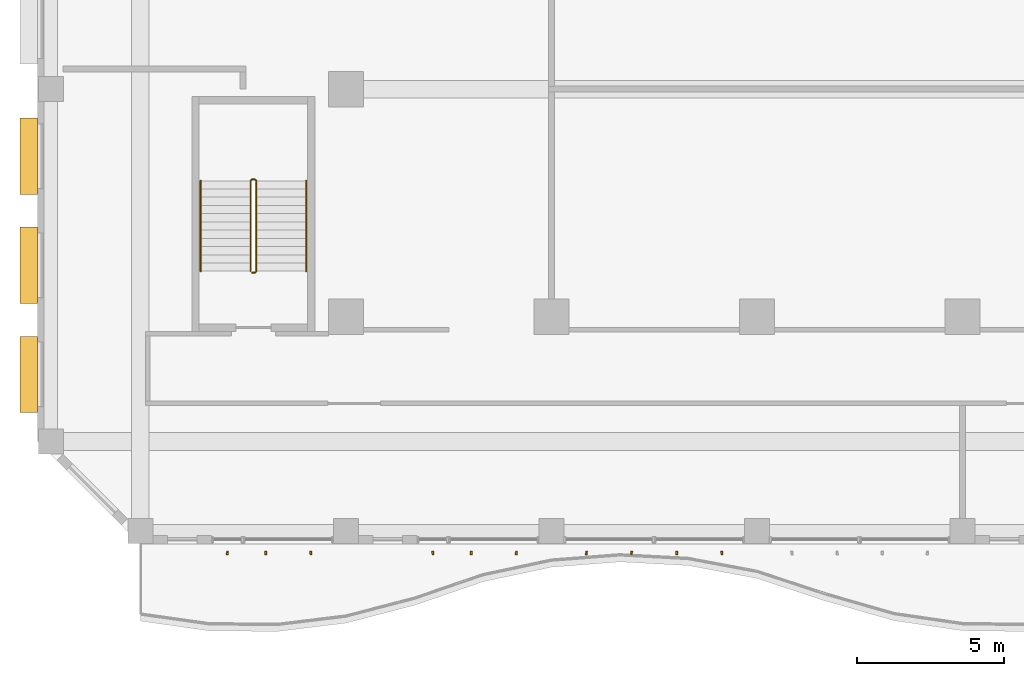
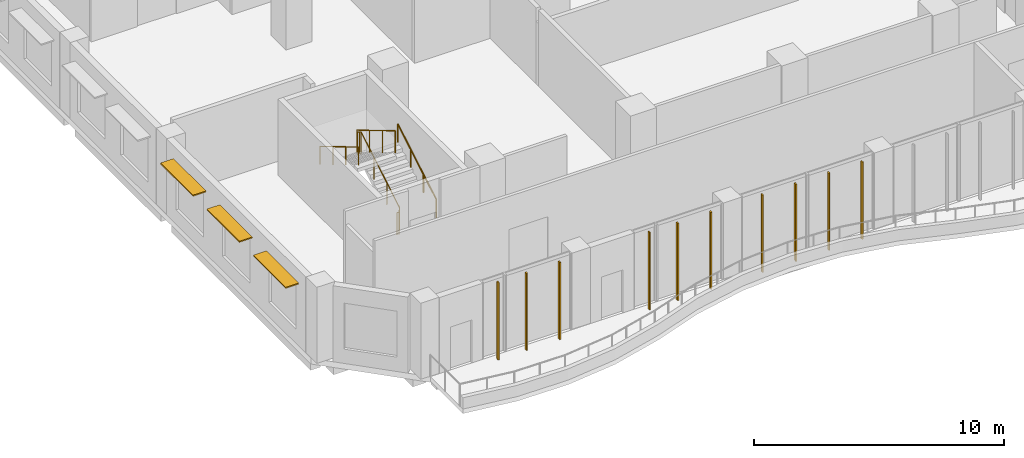
# One storey, part 17 of 26: 13 shading devices, 3 railings.
"""IFC4 building model written with IfcOpenShell, lengths in metres."""

from ifc_helpers import new_model, si_unit, direction, frame, origin, origin_2d, place, context, subcontext, project, spatial, rectangle, circle, extrude, source, transform, mapped, material, layer, layer_set, material_profile, profile_set, type_object, element, save


model = new_model("IFC4")

# Units and contexts
model_context = context("Model", 3, precision=1e-05, world=origin(), true_north=direction((0.0, 1.0)))
body_context = subcontext(model_context, "Body", "Model", "MODEL_VIEW")
ifc_project = project(units=[si_unit("LENGTHUNIT", "METRE"), si_unit("AREAUNIT", "SQUARE_METRE"), si_unit("VOLUMEUNIT", "CUBIC_METRE"), si_unit("PLANEANGLEUNIT", "RADIAN"), si_unit("MASSUNIT", "GRAM", prefix="KILO")], contexts=[model_context])

# Site, building, storey
site_placement = place(None, origin())
site = spatial("IfcSite", under=ifc_project, at=site_placement, CompositionType="ELEMENT")
building_placement = place(site_placement, origin())
building = spatial("IfcBuilding", under=site, at=building_placement, Name="Kilnfold Tower and Market Hall", CompositionType="ELEMENT")
storey_placement = place(building_placement, frame((0.0, 0.0, 108.60009765625)))
storey = spatial("IfcBuildingStorey", under=building, at=storey_placement, Name="L25", CompositionType="ELEMENT", Elevation=108.60009765625)

# Railings
ifc_material_1 = material(Name="Stainless steel 316", Category="steel")
railing_type_1 = type_object("IfcRailingType", Name="CORE STAIR GUARD 1100", PredefinedType="GUARDRAIL", material=ifc_material_1)
railing_1_placement = place(storey_placement, frame((-15.699951171875, -13.75, 0.0)))
element("IfcRailing", 1, at=railing_1_placement, inside=storey, type_object=railing_type_1, Name="L25 ST3 stair guard 1", PredefinedType="GUARDRAIL", context=body_context, shape_type="SweptSolid", body=[
    extrude(circle(Radius=0.02392578125, at=origin_2d()), frame((0.0, 0.0, 1.076171875), z_axis=(1.0, 0.0, 0.0), x_axis=(0.0, 1.0, 0.0)), (0.0, 0.0, 1.0), 0.099853515625),
    extrude(circle(Radius=0.02392578125, at=origin_2d()), frame((0.099853515625, 0.0, 1.076171875), z_axis=(0.27662974545, 0.27662974545, 0.920299933644), x_axis=(-0.707106781187, 0.707106781187, 0.0)), (0.0, 0.0, 1.0), 0.180908203125),
    extrude(circle(Radius=0.02392578125, at=origin_2d()), frame((0.14990234375, 0.050048828125, 1.24267578125), z_axis=(0.0, 0.859260807169, 0.511537745687), x_axis=(-1.0, 0.0, 0.0)), (0.0, 0.0, 1.0), 3.584228515625),
    extrude(circle(Radius=0.02392578125, at=origin_2d()), frame((0.14990234375, 3.1298828125, 3.076171875), z_axis=(-0.707106781187, 0.707106781187, 0.0), x_axis=(-0.707106781187, -0.707106781187, 0.0)), (0.0, 0.0, 1.0), 0.07080078125),
    extrude(circle(Radius=0.02392578125, at=origin_2d()), frame((0.099853515625, 3.179931640625, 3.076171875), z_axis=(-1.0, 0.0, 0.0), x_axis=(0.0, -1.0, 0.0)), (0.0, 0.0, 1.0), 0.099853515625),
    extrude(circle(Radius=0.02392578125, at=origin_2d()), frame((0.0, 3.179931640625, 3.076171875), z_axis=(-0.27662974545, -0.27662974545, 0.920299933644), x_axis=(0.707106781187, -0.707106781187, 0.0)), (0.0, 0.0, 1.0), 0.180908203125),
    extrude(circle(Radius=0.02392578125, at=origin_2d()), frame((-0.050048828125, 3.1298828125, 3.24267578125), z_axis=(0.0, -0.859260807169, 0.511537745687), x_axis=(1.0, 0.0, 0.0)), (0.0, 0.0, 1.0), 3.584228515625),
    extrude(circle(Radius=0.02099609375, at=origin_2d()), origin(), (0.0, 0.0, 1.0), 1.052001953125),
    extrude(circle(Radius=0.02099609375, at=origin_2d()), frame((0.099853515625, 0.0, 0.0)), (0.0, 0.0, 1.0), 1.052001953125),
    extrude(circle(Radius=0.02099609375, at=origin_2d()), frame((0.14990234375, 0.050048828125, 0.16650390625)), (0.0, 0.0, 1.0), 1.052001953125),
    extrude(circle(Radius=0.02099609375, at=origin_2d()), frame((0.14990234375, 1.07666015625, 0.777587890625)), (0.0, 0.0, 1.0), 1.052001953125),
    extrude(circle(Radius=0.02099609375, at=origin_2d()), frame((0.14990234375, 2.103271484375, 1.388916015625)), (0.0, 0.0, 1.0), 1.052001953125),
    extrude(circle(Radius=0.02099609375, at=origin_2d()), frame((0.14990234375, 3.1298828125, 2.0)), (0.0, 0.0, 1.0), 1.052001953125),
    extrude(circle(Radius=0.02099609375, at=origin_2d()), frame((0.099853515625, 3.179931640625, 2.0)), (0.0, 0.0, 1.0), 1.052001953125),
    extrude(circle(Radius=0.02099609375, at=origin_2d()), frame((0.0, 3.179931640625, 2.0)), (0.0, 0.0, 1.0), 1.052001953125),
    extrude(circle(Radius=0.02099609375, at=origin_2d()), frame((-0.050048828125, 3.1298828125, 2.16650390625)), (0.0, 0.0, 1.0), 1.052001953125),
    extrude(circle(Radius=0.02099609375, at=origin_2d()), frame((-0.050048828125, 2.103271484375, 2.777587890625)), (0.0, 0.0, 1.0), 1.052001953125),
    extrude(circle(Radius=0.02099609375, at=origin_2d()), frame((-0.050048828125, 1.07666015625, 3.388916015625)), (0.0, 0.0, 1.0), 1.052001953125),
    extrude(circle(Radius=0.02099609375, at=origin_2d()), frame((-0.050048828125, 0.050048828125, 4.0)), (0.0, 0.0, 1.0), 1.052001953125),
])
ifc_material_2 = material(Name="Stainless steel 316", Category="steel")
railing_type_2 = type_object("IfcRailingType", Name="CORE STAIR HANDRAIL 900", PredefinedType="HANDRAIL", material=ifc_material_2)
railing_2_placement = place(storey_placement, frame((-13.85009765625, -13.699951171875, 0.16650390625)))
element("IfcRailing", 2, at=railing_2_placement, inside=storey, type_object=railing_type_2, Name="L25 ST3 stair handrail 1", PredefinedType="HANDRAIL", context=body_context, shape_type="SweptSolid", body=[
    extrude(circle(Radius=0.02392578125, at=origin_2d()), frame((0.0, 0.0, 0.8759765625), z_axis=(0.0, 0.859260807169, 0.511537745687), x_axis=(-1.0, 0.0, 0.0)), (0.0, 0.0, 1.0), 3.584228515625),
    extrude(circle(Radius=0.02099609375, at=origin_2d()), origin(), (0.0, 0.0, 1.0), 0.851806640625),
    extrude(circle(Radius=0.02099609375, at=origin_2d()), frame((0.0, 1.026611328125, 0.611083984375)), (0.0, 0.0, 1.0), 0.851806640625),
    extrude(circle(Radius=0.02099609375, at=origin_2d()), frame((0.0, 2.05322265625, 1.222412109375)), (0.0, 0.0, 1.0), 0.851806640625),
    extrude(circle(Radius=0.02099609375, at=origin_2d()), frame((0.0, 3.079833984375, 1.83349609375)), (0.0, 0.0, 1.0), 0.851806640625),
])
railing_3_placement = place(storey_placement, frame((-17.449951171875, -10.6201171875, 2.16650390625)))
element("IfcRailing", 3, at=railing_3_placement, inside=storey, type_object=railing_type_2, Name="L25 ST3 stair handrail 2", PredefinedType="HANDRAIL", context=body_context, shape_type="SweptSolid", body=[
    extrude(circle(Radius=0.02392578125, at=origin_2d()), frame((0.0, 0.0, 0.8759765625), z_axis=(0.0, -0.859260807169, 0.511537745687), x_axis=(1.0, 0.0, 0.0)), (0.0, 0.0, 1.0), 3.584228515625),
    extrude(circle(Radius=0.02099609375, at=origin_2d()), origin(), (0.0, 0.0, 1.0), 0.851806640625),
    extrude(circle(Radius=0.02099609375, at=origin_2d()), frame((0.0, -1.026611328125, 0.611083984375)), (0.0, 0.0, 1.0), 0.851806640625),
    extrude(circle(Radius=0.02099609375, at=origin_2d()), frame((0.0, -2.05322265625, 1.222412109375)), (0.0, 0.0, 1.0), 0.851806640625),
    extrude(circle(Radius=0.02099609375, at=origin_2d()), frame((0.0, -3.079833984375, 1.83349609375)), (0.0, 0.0, 1.0), 0.851806640625),
])

# Shading devices
ifc_material_3 = material(Name="Terracotta", Category="masonry")
ifc_layer = layer(ifc_material_3, 0.06005859375)
ifc_layer_set = layer_set([ifc_layer], Name="Terracotta")
shading_device_type_1 = type_object("IfcShadingDeviceType", Name="SUNSHADE BLADE 600", PredefinedType="USERDEFINED", material=ifc_layer_set)
shared_shape_1 = source(origin(), body_context, "Body", "SweptSolid", [
    extrude(rectangle(XDim=2.60009765625, YDim=0.60009765625, at=origin_2d()), origin(), (0.0, 0.0, 1.0), 0.06005859375),
])
for number, where, z_axis, x_axis, name in (
    (4, (-23.300048828125, -9.783203125, 3.02978515625), (0.0, 0.0, 1.0), (0.0, -1.0, 0.0), "Sunshade L25 W"),
    (5, (-23.300048828125, -13.5, 3.02978515625), (0.0, 0.0, 1.0), (0.0, -1.0, 0.0), "Sunshade L25 W"),
    (6, (-23.300048828125, -17.216796875, 3.02978515625), (0.0, 0.0, 1.0), (0.0, -1.0, 0.0), "Sunshade L25 W"),
):
    element("IfcShadingDevice", number, at=place(storey_placement, frame(where, z_axis=z_axis, x_axis=x_axis)), inside=storey, type_object=shading_device_type_1, Name=name, ObjectType="SUNSHADE", PredefinedType="USERDEFINED", context=body_context, shape_type="MappedRepresentation", body=[
        mapped(shared_shape_1, transform((0.0, 0.0, 0.0))),
    ])
ifc_material_4 = material(Name="Terracotta", Category="masonry")
ifc_material_profile = material_profile(ifc_material_4, rectangle(XDim=0.06005859375, YDim=0.1201171875, at=origin_2d()), Name="BAG 60x120")
ifc_profile_set = profile_set([ifc_material_profile], Name="Terracotta")
shading_device_type_2 = type_object("IfcShadingDeviceType", Name="BAGUETTE", PredefinedType="USERDEFINED", material=ifc_profile_set)
shared_shape_2 = source(origin(), body_context, "Body", "SweptSolid", [
    extrude(rectangle(XDim=0.06005859375, YDim=0.1201171875, at=origin_2d()), origin(), (0.0, 0.0, 1.0), 3.77978515625),
])
for number, where, z_axis, x_axis, name in (
    (7, (-16.53759765625, -23.300048828125, 0.0), (0.0, 0.0, 1.0), (0.995594590303, -0.093762528549, 0.0), "Terracotta baguette L25 S"),
    (8, (-15.231201171875, -23.300048828125, 0.0), (0.0, 0.0, 1.0), (0.999778411433, -0.021050606442, 0.0), "Terracotta baguette L25 S"),
    (9, (-13.693603515625, -23.300048828125, 0.0), (0.0, 0.0, 1.0), (0.997435789037, 0.071567078661, 0.0), "Terracotta baguette L25 S"),
    (10, (-9.53759765625, -23.300048828125, 0.0), (0.0, 0.0, 1.0), (0.995594590303, 0.093762528549, 0.0), "Terracotta baguette L25 S"),
    (11, (-8.231201171875, -23.300048828125, 0.0), (0.0, 0.0, 1.0), (0.999778411433, 0.021050606442, 0.0), "Terracotta baguette L25 S"),
    (12, (-6.69384765625, -23.300048828125, 0.0), (0.0, 0.0, 1.0), (0.997435789037, -0.071567078661, 0.0), "Terracotta baguette L25 S"),
    (13, (-4.30615234375, -23.300048828125, 0.0), (0.0, 0.0, 1.0), (0.990283122923, -0.139065942828, 0.0), "Terracotta baguette L25 S"),
    (14, (-2.768798828125, -23.300048828125, 0.0), (0.0, 0.0, 1.0), (0.994586469456, -0.103912245548, 0.0), "Terracotta baguette L25 S"),
    (15, (-1.231201171875, -23.300048828125, 0.0), (0.0, 0.0, 1.0), (0.999778411433, -0.021050606442, 0.0), "Terracotta baguette L25 S"),
    (16, (0.30615234375, -23.300048828125, 0.0), (0.0, 0.0, 1.0), (0.997435789037, 0.071567078661, 0.0), "Terracotta baguette L25 S"),
):
    element("IfcShadingDevice", number, at=place(storey_placement, frame(where, z_axis=z_axis, x_axis=x_axis)), inside=storey, type_object=shading_device_type_2, Name=name, ObjectType="BAGUETTE", PredefinedType="USERDEFINED", context=body_context, shape_type="MappedRepresentation", body=[
        mapped(shared_shape_2, transform((0.0, 0.0, 0.0))),
    ])

save(model, "model.ifc")
